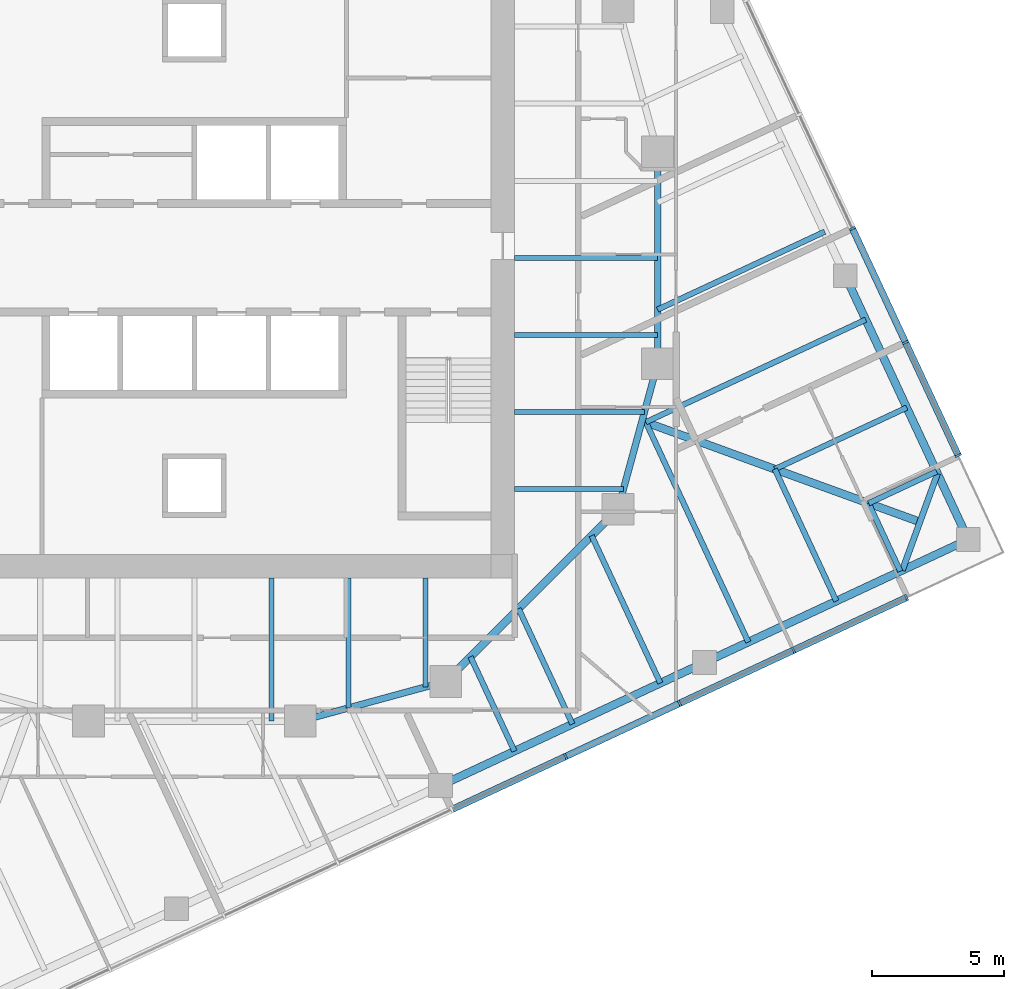
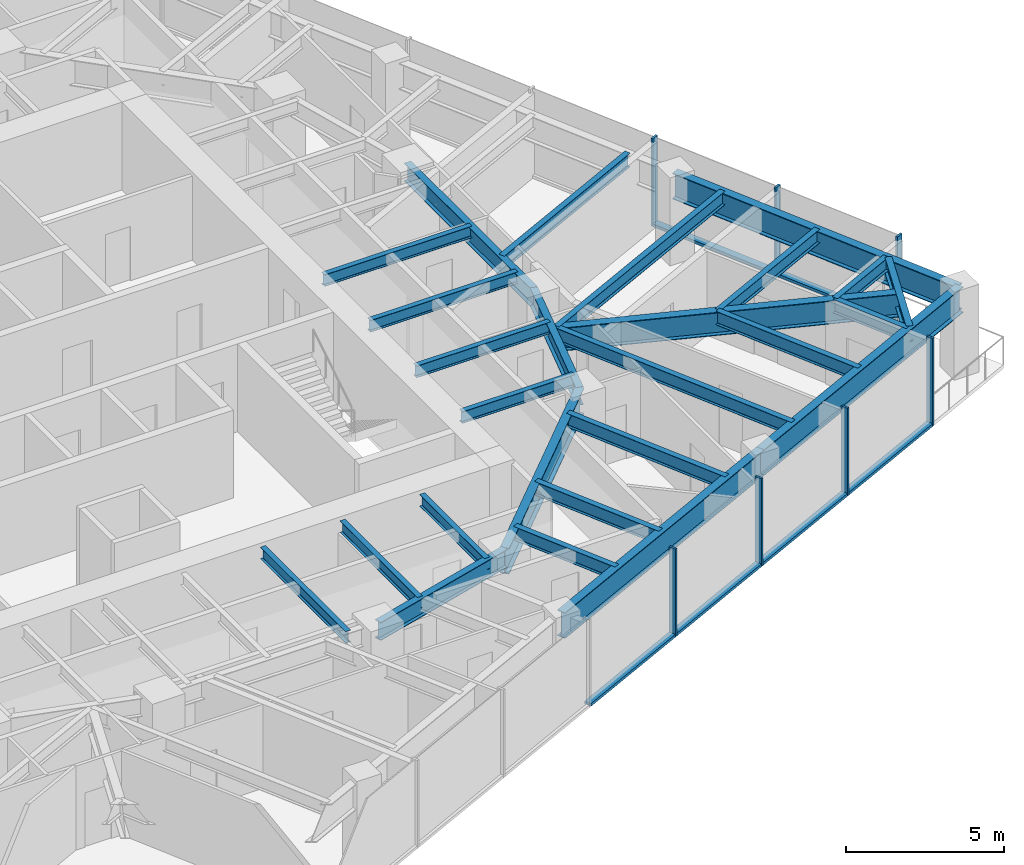
# One storey, part 3 of 13: 26 beams, 13 members, 2 elements without a shape of their own.
"""IFC4 building model written with IfcOpenShell, lengths in metres."""

from ifc_helpers import new_model, si_unit, direction, frame, origin, origin_2d, place, context, subcontext, project, spatial, rectangle, i_section, extrude, material, material_profile, profile_set, type_object, element, aggregate, save


model = new_model("IFC4")

# Units and contexts
model_context = context("Model", 3, precision=1e-05, world=origin(), true_north=direction((0.0, 1.0)))
body_context = subcontext(model_context, "Body", "Model", "MODEL_VIEW")
ifc_project = project(units=[si_unit("LENGTHUNIT", "METRE"), si_unit("AREAUNIT", "SQUARE_METRE"), si_unit("VOLUMEUNIT", "CUBIC_METRE"), si_unit("PLANEANGLEUNIT", "RADIAN"), si_unit("MASSUNIT", "GRAM", prefix="KILO")], contexts=[model_context])

# Site, building, storey
site_placement = place(None, origin())
site = spatial("IfcSite", under=ifc_project, at=site_placement, CompositionType="ELEMENT")
building_placement = place(site_placement, origin())
building = spatial("IfcBuilding", under=site, at=building_placement, Name="Torsade Residences", CompositionType="ELEMENT")
storey_placement = place(building_placement, frame((0.0, 0.0, 196.39990234375)))
storey = spatial("IfcBuildingStorey", under=building, at=storey_placement, Name="L54", CompositionType="ELEMENT", Elevation=196.39990234375)

# Beams
ifc_material_1 = material(Name="Steel grade 300", Category="steel")
ifc_material_profile_1 = material_profile(ifc_material_1, i_section(OverallWidth=0.300048828125, OverallDepth=0.89990234375, WebThickness=0.011962890625, FlangeThickness=0.02490234375, at=origin_2d()), Name="900WB175")
ifc_profile_set_1 = profile_set([ifc_material_profile_1], Name="Steel grade 300")
beam_type_1 = type_object("IfcBeamType", Name="CORNER GIRDER 900WB175", PredefinedType="BEAM", material=ifc_profile_set_1)
beam_1_placement = place(storey_placement, frame((67.4091796875, 20.02392578125, 2.800048828125), z_axis=(-0.93969447651, 0.342015044723, 0.0), x_axis=(-0.342015044723, -0.93969447651, 0.0)))
element("IfcBeam", 1, at=beam_1_placement, inside=storey, type_object=beam_type_1, Name="Corner girder 05 L55", PredefinedType="BEAM", context=body_context, shape_type="SweptSolid", body=[
    extrude(i_section(OverallWidth=0.300048828125, OverallDepth=0.89990234375, WebThickness=0.011962890625, FlangeThickness=0.02490234375, at=origin_2d()), origin(), (0.0, 0.0, 1.0), 11.170654296875),
])
ifc_material_2 = material(Name="Steel grade 300", Category="steel")
ifc_material_profile_2 = material_profile(ifc_material_2, i_section(OverallWidth=0.22802734375, OverallDepth=0.60205078125, WebThickness=0.010498046875, FlangeThickness=0.014892578125, FilletRadius=0.013916015625, at=origin_2d()), Name="610UB101")
ifc_profile_set_2 = profile_set([ifc_material_profile_2], Name="Steel grade 300")
beam_type_2 = type_object("IfcBeamType", Name="CORNER TRIMMER 610UB101", PredefinedType="BEAM", material=ifc_profile_set_2)
beam_2_placement = place(storey_placement, frame((68.07421875, 21.85107421875, 2.94921875), z_axis=(-0.342005152204, -0.939698076972, 0.0), x_axis=(0.939698076972, -0.342005152204, 0.0)))
element("IfcBeam", 2, at=beam_2_placement, inside=storey, type_object=beam_type_2, Name="Corner trimmer 05 L55", PredefinedType="BEAM", context=body_context, shape_type="SweptSolid", body=[
    extrude(i_section(OverallWidth=0.22802734375, OverallDepth=0.60205078125, WebThickness=0.010498046875, FlangeThickness=0.014892578125, FilletRadius=0.013916015625, at=origin_2d()), origin(), (0.0, 0.0, 1.0), 3.88916015625),
])
ifc_material_3 = material(Name="Steel grade 300", Category="steel")
ifc_material_profile_3 = material_profile(ifc_material_3, i_section(OverallWidth=0.300048828125, OverallDepth=1.0, WebThickness=0.01611328125, FlangeThickness=0.028076171875, at=origin_2d()), Name="1000WB215")
ifc_profile_set_3 = profile_set([ifc_material_profile_3], Name="Steel grade 300")
beam_type_3 = type_object("IfcBeamType", Name="EDGE BEAM 1000WB215", PredefinedType="SPANDREL", material=ifc_profile_set_3)
for number, where, z_axis, x_axis, name in (
    (3, (49.297607421875, 10.061279296875, 2.75), (0.906313510001, 0.422605988587, 0.0), (-0.422605988587, 0.906313510001, 0.0), "Edge beam 03 L55"),
    (4, (59.26708984375, 14.7099609375, 2.75), (0.90630104482, 0.422632720171, 0.0), (-0.422632720171, 0.90630104482, 0.0), "Edge beam 04 L55"),
):
    element("IfcBeam", number, at=place(storey_placement, frame(where, z_axis=z_axis, x_axis=x_axis)), inside=storey, type_object=beam_type_3, Name=name, PredefinedType="SPANDREL", context=body_context, shape_type="SweptSolid", body=[
        extrude(i_section(OverallWidth=0.300048828125, OverallDepth=1.0, WebThickness=0.01611328125, FlangeThickness=0.028076171875, at=origin_2d()), origin(), (0.0, 0.0, 1.0), 11.0),
    ])
beam_3_placement = place(storey_placement, frame((69.236328125, 19.35888671875, 2.75), z_axis=(-0.422614489543, 0.906309546032, 0.0), x_axis=(-0.906309546032, -0.422614489543, 0.0)))
element("IfcBeam", 5, at=beam_3_placement, inside=storey, type_object=beam_type_3, Name="Edge beam 05 L55", PredefinedType="SPANDREL", context=body_context, shape_type="SweptSolid", body=[
    extrude(i_section(OverallWidth=0.300048828125, OverallDepth=1.0, WebThickness=0.01611328125, FlangeThickness=0.028076171875, at=origin_2d()), origin(), (0.0, 0.0, 1.0), 10.999755859375),
])
ifc_material_4 = material(Name="Steel grade 300", Category="steel")
ifc_material_profile_4 = material_profile(ifc_material_4, i_section(OverallWidth=0.18994140625, OverallDepth=0.4541015625, WebThickness=0.008544921875, FlangeThickness=0.0126953125, FilletRadius=0.011474609375, at=origin_2d()), Name="460UB67.1")
ifc_profile_set_4 = profile_set([ifc_material_profile_4], Name="Steel grade 300")
beam_type_4 = type_object("IfcBeamType", Name="INNER FLOOR BEAM 460UB67.1", PredefinedType="JOIST", material=ifc_profile_set_4)
beam_4_placement = place(storey_placement, frame((48.737548828125, 17.89990234375, 3.023193359375), z_axis=(0.0, -1.0, 0.0), x_axis=(1.0, 0.0, 0.0)))
element("IfcBeam", 6, at=beam_4_placement, inside=storey, type_object=beam_type_4, Name="Inner floor beam IS01 L55", PredefinedType="JOIST", context=body_context, shape_type="SweptSolid", body=[
    extrude(i_section(OverallWidth=0.18994140625, OverallDepth=0.4541015625, WebThickness=0.008544921875, FlangeThickness=0.0126953125, FilletRadius=0.011474609375, at=origin_2d()), origin(), (0.0, 0.0, 1.0), 4.10791015625),
])
beam_5_placement = place(storey_placement, frame((45.824951171875, 17.89990234375, 3.023193359375), z_axis=(0.0, -1.0, 0.0), x_axis=(1.0, 0.0, 0.0)))
element("IfcBeam", 7, at=beam_5_placement, inside=storey, type_object=beam_type_4, Name="Inner floor beam IS02 L55", PredefinedType="JOIST", context=body_context, shape_type="SweptSolid", body=[
    extrude(i_section(OverallWidth=0.18994140625, OverallDepth=0.4541015625, WebThickness=0.008544921875, FlangeThickness=0.0126953125, FilletRadius=0.011474609375, at=origin_2d()), origin(), (0.0, 0.0, 1.0), 4.902099609375),
])
beam_6_placement = place(storey_placement, frame((42.91259765625, 17.89990234375, 3.023193359375), z_axis=(0.0, -1.0, 0.0), x_axis=(1.0, 0.0, 0.0)))
element("IfcBeam", 8, at=beam_6_placement, inside=storey, type_object=beam_type_4, Name="Inner floor beam IS03 L55", PredefinedType="JOIST", context=body_context, shape_type="SweptSolid", body=[
    extrude(i_section(OverallWidth=0.18994140625, OverallDepth=0.4541015625, WebThickness=0.008544921875, FlangeThickness=0.0126953125, FilletRadius=0.011474609375, at=origin_2d()), origin(), (0.0, 0.0, 1.0), 5.39990234375),
])
beam_7_placement = place(storey_placement, frame((52.10009765625, 21.262451171875, 3.023193359375), z_axis=(1.0, 0.0, 0.0), x_axis=(0.0, 1.0, 0.0)))
element("IfcBeam", 9, at=beam_7_placement, inside=storey, type_object=beam_type_4, Name="Inner floor beam IE01 L55", PredefinedType="JOIST", context=body_context, shape_type="SweptSolid", body=[
    extrude(i_section(OverallWidth=0.18994140625, OverallDepth=0.4541015625, WebThickness=0.008544921875, FlangeThickness=0.0126953125, FilletRadius=0.011474609375, at=origin_2d()), origin(), (0.0, 0.0, 1.0), 4.10791015625),
])
beam_8_placement = place(storey_placement, frame((52.10009765625, 24.175048828125, 3.023193359375), z_axis=(1.0, 0.0, 0.0), x_axis=(0.0, 1.0, 0.0)))
element("IfcBeam", 10, at=beam_8_placement, inside=storey, type_object=beam_type_4, Name="Inner floor beam IE02 L55", PredefinedType="JOIST", context=body_context, shape_type="SweptSolid", body=[
    extrude(i_section(OverallWidth=0.18994140625, OverallDepth=0.4541015625, WebThickness=0.008544921875, FlangeThickness=0.0126953125, FilletRadius=0.011474609375, at=origin_2d()), origin(), (0.0, 0.0, 1.0), 4.902099609375),
])
for number, where, z_axis, x_axis, name in (
    (11, (52.10009765625, 27.08740234375, 3.023193359375), (1.0, 0.0, 0.0), (0.0, 1.0, 0.0), "Inner floor beam IE03 L55"),
    (12, (52.10009765625, 30.0, 3.023193359375), (1.0, 0.0, 0.0), (0.0, 1.0, 0.0), "Inner floor beam IE04 L55"),
):
    element("IfcBeam", number, at=place(storey_placement, frame(where, z_axis=z_axis, x_axis=x_axis)), inside=storey, type_object=beam_type_4, Name=name, PredefinedType="JOIST", context=body_context, shape_type="SweptSolid", body=[
        extrude(i_section(OverallWidth=0.18994140625, OverallDepth=0.4541015625, WebThickness=0.008544921875, FlangeThickness=0.0126953125, FilletRadius=0.011474609375, at=origin_2d()), origin(), (0.0, 0.0, 1.0), 5.39990234375),
    ])

# Curtain wall, members
ifc_material_5 = material(Name="Aluminium and glass", Category="aluminium")
curtain_wall_type = type_object("IfcCurtainWallType", Name="FRITTED GLASS CURTAIN WALL MID ZONE", PredefinedType="NOTDEFINED", material=ifc_material_5)
curtain_wall_1_placement = place(storey_placement, origin())
curtain_wall_1 = element("IfcCurtainWall", 13, at=curtain_wall_1_placement, inside=storey, type_object=curtain_wall_type, Name="Curtain wall L54 face 1", PredefinedType="NOTDEFINED")
ifc_material_6 = material(Name="Aluminium mullion", Category="aluminium")
ifc_material_profile_5 = material_profile(ifc_material_6, rectangle(XDim=0.25, YDim=0.080078125, at=origin_2d()), Name="MID ZONE CURTAIN WALL MULLION 250x80")
ifc_profile_set_5 = profile_set([ifc_material_profile_5], Name="Aluminium mullion")
member_type_1 = type_object("IfcMemberType", Name="MID ZONE CURTAIN WALL MULLION 250x80", PredefinedType="MULLION", material=ifc_profile_set_5)
member_1_placement = place(storey_placement, frame((54.025146484375, 11.162353515625, 0.0), z_axis=(0.0, 0.0, 1.0), x_axis=(-0.422618261978, 0.906307786926, 0.0)))
member_1 = element("IfcMember", 14, at=member_1_placement, type_object=member_type_1, Name="Mullion 6", PredefinedType="MULLION", context=body_context, shape_type="SweptSolid", body=[
    extrude(rectangle(XDim=0.25, YDim=0.080078125, at=origin_2d()), origin(), (0.0, 0.0, 1.0), 3.400146484375),
])
member_2_placement = place(storey_placement, frame((58.330078125, 13.169677734375, 0.0), z_axis=(0.0, 0.0, 1.0), x_axis=(-0.422618261978, 0.906307786926, 0.0)))
member_2 = element("IfcMember", 15, at=member_2_placement, type_object=member_type_1, Name="Mullion 7", PredefinedType="MULLION", context=body_context, shape_type="SweptSolid", body=[
    extrude(rectangle(XDim=0.25, YDim=0.080078125, at=origin_2d()), origin(), (0.0, 0.0, 1.0), 3.400146484375),
])
member_3_placement = place(storey_placement, frame((62.635009765625, 15.17724609375, 0.0), z_axis=(0.0, 0.0, 1.0), x_axis=(-0.422618261978, 0.906307786926, 0.0)))
member_3 = element("IfcMember", 16, at=member_3_placement, type_object=member_type_1, Name="Mullion 8", PredefinedType="MULLION", context=body_context, shape_type="SweptSolid", body=[
    extrude(rectangle(XDim=0.25, YDim=0.080078125, at=origin_2d()), origin(), (0.0, 0.0, 1.0), 3.400146484375),
])
member_4_placement = place(storey_placement, frame((66.90380859375, 17.167724609375, 0.0), z_axis=(0.0, 0.0, 1.0), x_axis=(-0.422618261978, 0.906307786926, 0.0)))
member_4 = element("IfcMember", 17, at=member_4_placement, type_object=member_type_1, Name="Mullion 9", PredefinedType="MULLION", context=body_context, shape_type="SweptSolid", body=[
    extrude(rectangle(XDim=0.25, YDim=0.080078125, at=origin_2d()), origin(), (0.0, 0.0, 1.0), 3.400146484375),
])

curtain_wall_2_placement = place(storey_placement, origin())
curtain_wall_2 = element("IfcCurtainWall", 18, at=curtain_wall_2_placement, inside=storey, type_object=curtain_wall_type, Name="Curtain wall L54 face 4", PredefinedType="NOTDEFINED")
member_5_placement = place(storey_placement, frame((68.85791015625, 22.53662109375, 0.0), z_axis=(0.0, 0.0, 1.0), x_axis=(-0.906307786926, -0.422618261978, 0.0)))
member_5 = element("IfcMember", 19, at=member_5_placement, type_object=member_type_1, Name="Mullion 1", PredefinedType="MULLION", context=body_context, shape_type="SweptSolid", body=[
    extrude(rectangle(XDim=0.25, YDim=0.080078125, at=origin_2d()), origin(), (0.0, 0.0, 1.0), 3.400146484375),
])
member_6_placement = place(storey_placement, frame((66.867431640625, 26.805419921875, 0.0), z_axis=(0.0, 0.0, 1.0), x_axis=(-0.906307786926, -0.422618261978, 0.0)))
member_6 = element("IfcMember", 20, at=member_6_placement, type_object=member_type_1, Name="Mullion 2", PredefinedType="MULLION", context=body_context, shape_type="SweptSolid", body=[
    extrude(rectangle(XDim=0.25, YDim=0.080078125, at=origin_2d()), origin(), (0.0, 0.0, 1.0), 3.400146484375),
])
member_7_placement = place(storey_placement, frame((64.85986328125, 31.1103515625, 0.0), z_axis=(0.0, 0.0, 1.0), x_axis=(-0.906307786926, -0.422618261978, 0.0)))
member_7 = element("IfcMember", 21, at=member_7_placement, type_object=member_type_1, Name="Mullion 3", PredefinedType="MULLION", context=body_context, shape_type="SweptSolid", body=[
    extrude(rectangle(XDim=0.25, YDim=0.080078125, at=origin_2d()), origin(), (0.0, 0.0, 1.0), 3.400146484375),
])

# Member
ifc_material_7 = material(Name="Aluminium transom", Category="aluminium")
ifc_material_profile_6 = material_profile(ifc_material_7, rectangle(XDim=0.25, YDim=0.110107421875, at=origin_2d()), Name="MID ZONE CURTAIN WALL TRANSOM 250x110")
ifc_profile_set_6 = profile_set([ifc_material_profile_6], Name="Aluminium transom")
member_type_2 = type_object("IfcMemberType", Name="MID ZONE CURTAIN WALL TRANSOM 250x110", PredefinedType="USERDEFINED", material=ifc_profile_set_6)
member_8_placement = place(storey_placement, frame((49.756591796875, 9.171875, 0.05517578125), z_axis=(0.906305976097, 0.422622145291, 0.0), x_axis=(-0.422622145291, 0.906305976097, 0.0)))
member_8 = element("IfcMember", 22, at=member_8_placement, type_object=member_type_2, Name="Transom 5.1", ObjectType="TRANSOM", PredefinedType="USERDEFINED", context=body_context, shape_type="SweptSolid", body=[
    extrude(rectangle(XDim=0.25, YDim=0.110107421875, at=origin_2d()), origin(), (0.0, 0.0, 1.0), 4.669921875),
])

member_9_placement = place(storey_placement, frame((54.0615234375, 11.17919921875, 0.05517578125), z_axis=(0.906305976097, 0.422622145291, 0.0), x_axis=(-0.422622145291, 0.906305976097, 0.0)))
member_9 = element("IfcMember", 23, at=member_9_placement, type_object=member_type_2, Name="Transom 6.1", ObjectType="TRANSOM", PredefinedType="USERDEFINED", context=body_context, shape_type="SweptSolid", body=[
    extrude(rectangle(XDim=0.25, YDim=0.110107421875, at=origin_2d()), origin(), (0.0, 0.0, 1.0), 4.669921875),
])

member_10_placement = place(storey_placement, frame((58.366455078125, 13.186767578125, 0.05517578125), z_axis=(0.906305976097, 0.422622145291, 0.0), x_axis=(-0.422622145291, 0.906305976097, 0.0)))
member_10 = element("IfcMember", 24, at=member_10_placement, type_object=member_type_2, Name="Transom 7.1", ObjectType="TRANSOM", PredefinedType="USERDEFINED", context=body_context, shape_type="SweptSolid", body=[
    extrude(rectangle(XDim=0.25, YDim=0.110107421875, at=origin_2d()), origin(), (0.0, 0.0, 1.0), 4.669921875),
])

member_11_placement = place(storey_placement, frame((62.67138671875, 15.194091796875, 0.05517578125), z_axis=(0.906305687176, 0.422622764878, 0.0), x_axis=(-0.422622764878, 0.906305687176, 0.0)))
member_11 = element("IfcMember", 25, at=member_11_placement, type_object=member_type_2, Name="Transom 8.1", ObjectType="TRANSOM", PredefinedType="USERDEFINED", context=body_context, shape_type="SweptSolid", body=[
    extrude(rectangle(XDim=0.25, YDim=0.110107421875, at=origin_2d()), origin(), (0.0, 0.0, 1.0), 4.630126953125),
])

aggregate(curtain_wall_1, [member_1, member_2, member_3, member_4, member_8, member_9, member_10, member_11])

member_12_placement = place(storey_placement, frame((68.841064453125, 22.572998046875, 0.05517578125), z_axis=(-0.422642962277, 0.906296268578, 0.0), x_axis=(-0.906296268578, -0.422642962277, 0.0)))
member_12 = element("IfcMember", 26, at=member_12_placement, type_object=member_type_2, Name="Transom 1.1", ObjectType="TRANSOM", PredefinedType="USERDEFINED", context=body_context, shape_type="SweptSolid", body=[
    extrude(rectangle(XDim=0.25, YDim=0.110107421875, at=origin_2d()), origin(), (0.0, 0.0, 1.0), 4.6298828125),
])

member_13_placement = place(storey_placement, frame((66.8505859375, 26.841552734375, 0.05517578125), z_axis=(-0.422622145291, 0.906305976097, 0.0), x_axis=(-0.906305976097, -0.422622145291, 0.0)))
member_13 = element("IfcMember", 27, at=member_13_placement, type_object=member_type_2, Name="Transom 2.1", ObjectType="TRANSOM", PredefinedType="USERDEFINED", context=body_context, shape_type="SweptSolid", body=[
    extrude(rectangle(XDim=0.25, YDim=0.110107421875, at=origin_2d()), origin(), (0.0, 0.0, 1.0), 4.669921875),
])

aggregate(curtain_wall_2, [member_5, member_6, member_7, member_12, member_13])

# Beams
ifc_material_8 = material(Name="Steel grade 300", Category="steel")
ifc_material_profile_7 = material_profile(ifc_material_8, i_section(OverallWidth=0.300048828125, OverallDepth=1.0, WebThickness=0.01611328125, FlangeThickness=0.028076171875, at=origin_2d()), Name="1000WB215")
ifc_profile_set_7 = profile_set([ifc_material_profile_7], Name="Steel grade 300")
beam_type_5 = type_object("IfcBeamType", Name="RING CORNER GIRDER 1000WB215", PredefinedType="BEAM", material=ifc_profile_set_7)
beam_9_placement = place(storey_placement, frame((49.5, 14.0, 2.75), z_axis=(0.707106781187, 0.707106781187, 0.0), x_axis=(-0.707106781187, 0.707106781187, 0.0)))
element("IfcBeam", 28, at=beam_9_placement, inside=storey, type_object=beam_type_5, Name="Ring girder IR15 L55", PredefinedType="BEAM", context=body_context, shape_type="SweptSolid", body=[
    extrude(i_section(OverallWidth=0.300048828125, OverallDepth=1.0, WebThickness=0.01611328125, FlangeThickness=0.028076171875, at=origin_2d()), origin(), (0.0, 0.0, 1.0), 9.1923828125),
])
ifc_material_9 = material(Name="Steel grade 300", Category="steel")
ifc_material_profile_8 = material_profile(ifc_material_9, i_section(OverallWidth=0.25, OverallDepth=0.699951171875, WebThickness=0.010009765625, FlangeThickness=0.02001953125, at=origin_2d()), Name="700WB130")
ifc_profile_set_8 = profile_set([ifc_material_profile_8], Name="Steel grade 300")
beam_type_6 = type_object("IfcBeamType", Name="RING GIRDER 700WB130", PredefinedType="BEAM", material=ifc_profile_set_8)
beam_10_placement = place(storey_placement, frame((57.5, 26.0, 2.900146484375), z_axis=(0.0, 1.0, 0.0), x_axis=(-1.0, 0.0, 0.0)))
element("IfcBeam", 29, at=beam_10_placement, inside=storey, type_object=beam_type_6, Name="Ring girder IR01 L55", PredefinedType="BEAM", context=body_context, shape_type="SweptSolid", body=[
    extrude(i_section(OverallWidth=0.25, OverallDepth=0.699951171875, WebThickness=0.010009765625, FlangeThickness=0.02001953125, at=origin_2d()), origin(), (0.0, 0.0, 1.0), 8.0),
])
for number, where, z_axis, x_axis, name in (
    (30, (44.0, 12.5, 2.900146484375), (0.964763821238, 0.263117405792, 0.0), (-0.263117405792, 0.964763821238, 0.0), "Ring girder IR14 L55"),
    (31, (56.0, 20.5, 2.900146484375), (0.263117405792, 0.964763821238, 0.0), (-0.964763821238, 0.263117405792, 0.0), "Ring girder IR16 L55"),
):
    element("IfcBeam", number, at=place(storey_placement, frame(where, z_axis=z_axis, x_axis=x_axis)), inside=storey, type_object=beam_type_6, Name=name, PredefinedType="BEAM", context=body_context, shape_type="SweptSolid", body=[
        extrude(i_section(OverallWidth=0.25, OverallDepth=0.699951171875, WebThickness=0.010009765625, FlangeThickness=0.02001953125, at=origin_2d()), origin(), (0.0, 0.0, 1.0), 5.700927734375),
    ])
ifc_material_10 = material(Name="Steel grade 300", Category="steel")
ifc_material_profile_9 = material_profile(ifc_material_10, i_section(OverallWidth=0.208984375, OverallDepth=0.528076171875, WebThickness=0.009521484375, FlangeThickness=0.01318359375, FilletRadius=0.013916015625, at=origin_2d()), Name="530UB82.0")
ifc_profile_set_9 = profile_set([ifc_material_profile_9], Name="Steel grade 300")
beam_type_7 = type_object("IfcBeamType", Name="SECONDARY BEAM 530UB82.0", PredefinedType="JOIST", material=ifc_profile_set_9)
beam_11_placement = place(storey_placement, frame((52.092041015625, 11.3642578125, 2.986083984375), z_axis=(-0.422644222818, 0.906295680735, 0.0), x_axis=(-0.906295680735, -0.422644222818, 0.0)))
element("IfcBeam", 32, at=beam_11_placement, inside=storey, type_object=beam_type_7, Name="Floor beam FS07 L55", PredefinedType="JOIST", context=body_context, shape_type="SweptSolid", body=[
    extrude(i_section(OverallWidth=0.208984375, OverallDepth=0.528076171875, WebThickness=0.009521484375, FlangeThickness=0.01318359375, FilletRadius=0.013916015625, at=origin_2d()), origin(), (0.0, 0.0, 1.0), 3.933837890625),
])
beam_12_placement = place(storey_placement, frame((54.2822265625, 12.3857421875, 2.986083984375), z_axis=(-0.422618876857, 0.906307500203, 0.0), x_axis=(-0.906307500203, -0.422618876857, 0.0)))
element("IfcBeam", 33, at=beam_12_placement, inside=storey, type_object=beam_type_7, Name="Floor beam FS08 L55", PredefinedType="JOIST", context=body_context, shape_type="SweptSolid", body=[
    extrude(i_section(OverallWidth=0.208984375, OverallDepth=0.528076171875, WebThickness=0.009521484375, FlangeThickness=0.01318359375, FilletRadius=0.013916015625, at=origin_2d()), origin(), (0.0, 0.0, 1.0), 4.813232421875),
])
beam_13_placement = place(storey_placement, frame((57.60546875, 13.935302734375, 2.986083984375), z_axis=(-0.42264848683, 0.906293692233, 0.0), x_axis=(-0.906293692233, -0.42264848683, 0.0)))
element("IfcBeam", 34, at=beam_13_placement, inside=storey, type_object=beam_type_7, Name="Floor beam FS09 L55", PredefinedType="JOIST", context=body_context, shape_type="SweptSolid", body=[
    extrude(i_section(OverallWidth=0.208984375, OverallDepth=0.528076171875, WebThickness=0.009521484375, FlangeThickness=0.01318359375, FilletRadius=0.013916015625, at=origin_2d()), origin(), (0.0, 0.0, 1.0), 6.14794921875),
])
beam_14_placement = place(storey_placement, frame((60.928466796875, 15.48486328125, 2.986083984375), z_axis=(-0.422618627092, 0.90630761667, 0.0), x_axis=(-0.90630761667, -0.422618627092, 0.0)))
element("IfcBeam", 35, at=beam_14_placement, inside=storey, type_object=beam_type_7, Name="Floor beam FS10 L55", PredefinedType="JOIST", context=body_context, shape_type="SweptSolid", body=[
    extrude(i_section(OverallWidth=0.208984375, OverallDepth=0.528076171875, WebThickness=0.009521484375, FlangeThickness=0.01318359375, FilletRadius=0.013916015625, at=origin_2d()), origin(), (0.0, 0.0, 1.0), 9.166748046875),
])
beam_15_placement = place(storey_placement, frame((64.251708984375, 17.034423828125, 2.986083984375), z_axis=(-0.422632720171, 0.90630104482, 0.0), x_axis=(-0.90630104482, -0.422632720171, 0.0)))
element("IfcBeam", 36, at=beam_15_placement, inside=storey, type_object=beam_type_7, Name="Floor beam FS11 L55", PredefinedType="JOIST", context=body_context, shape_type="SweptSolid", body=[
    extrude(i_section(OverallWidth=0.208984375, OverallDepth=0.528076171875, WebThickness=0.009521484375, FlangeThickness=0.01318359375, FilletRadius=0.013916015625, at=origin_2d()), origin(), (0.0, 0.0, 1.0), 5.5),
])
for number, where, z_axis, x_axis, name in (
    (37, (66.66845703125, 18.161376953125, 2.986083984375), (-0.42257409885, 0.906328379221, 0.0), (-0.906328379221, -0.42257409885, 0.0), "Floor beam FS12 L55"),
    (38, (68.0390625, 21.9267578125, 2.986083984375), (-0.906295375613, -0.422644877104, 0.0), (0.422644877104, -0.906295375613, 0.0), "Floor beam FE01 L55"),
):
    element("IfcBeam", number, at=place(storey_placement, frame(where, z_axis=z_axis, x_axis=x_axis)), inside=storey, type_object=beam_type_7, Name=name, PredefinedType="JOIST", context=body_context, shape_type="SweptSolid", body=[
        extrude(i_section(OverallWidth=0.208984375, OverallDepth=0.528076171875, WebThickness=0.009521484375, FlangeThickness=0.01318359375, FilletRadius=0.013916015625, at=origin_2d()), origin(), (0.0, 0.0, 1.0), 2.833251953125),
    ])
beam_16_placement = place(storey_placement, frame((66.911865234375, 24.343505859375, 2.986083984375), z_axis=(-0.90630104482, -0.422632720171, 0.0), x_axis=(0.422632720171, -0.90630104482, 0.0)))
element("IfcBeam", 39, at=beam_16_placement, inside=storey, type_object=beam_type_7, Name="Floor beam FE02 L55", PredefinedType="JOIST", context=body_context, shape_type="SweptSolid", body=[
    extrude(i_section(OverallWidth=0.208984375, OverallDepth=0.528076171875, WebThickness=0.009521484375, FlangeThickness=0.01318359375, FilletRadius=0.013916015625, at=origin_2d()), origin(), (0.0, 0.0, 1.0), 5.5),
])
beam_17_placement = place(storey_placement, frame((65.3623046875, 27.666748046875, 2.986083984375), z_axis=(-0.90630761667, -0.422618627092, 0.0), x_axis=(0.422618627092, -0.90630761667, 0.0)))
element("IfcBeam", 40, at=beam_17_placement, inside=storey, type_object=beam_type_7, Name="Floor beam FE03 L55", PredefinedType="JOIST", context=body_context, shape_type="SweptSolid", body=[
    extrude(i_section(OverallWidth=0.208984375, OverallDepth=0.528076171875, WebThickness=0.009521484375, FlangeThickness=0.01318359375, FilletRadius=0.013916015625, at=origin_2d()), origin(), (0.0, 0.0, 1.0), 9.166748046875),
])
beam_18_placement = place(storey_placement, frame((63.812744140625, 30.98974609375, 2.986083984375), z_axis=(-0.906312044376, -0.422609131726, 0.0), x_axis=(0.422609131726, -0.906312044376, 0.0)))
element("IfcBeam", 41, at=beam_18_placement, inside=storey, type_object=beam_type_7, Name="Floor beam FE04 L55", PredefinedType="JOIST", context=body_context, shape_type="SweptSolid", body=[
    extrude(i_section(OverallWidth=0.208984375, OverallDepth=0.528076171875, WebThickness=0.009521484375, FlangeThickness=0.01318359375, FilletRadius=0.013916015625, at=origin_2d()), origin(), (0.0, 0.0, 1.0), 6.96533203125),
])

save(model, "model.ifc")
